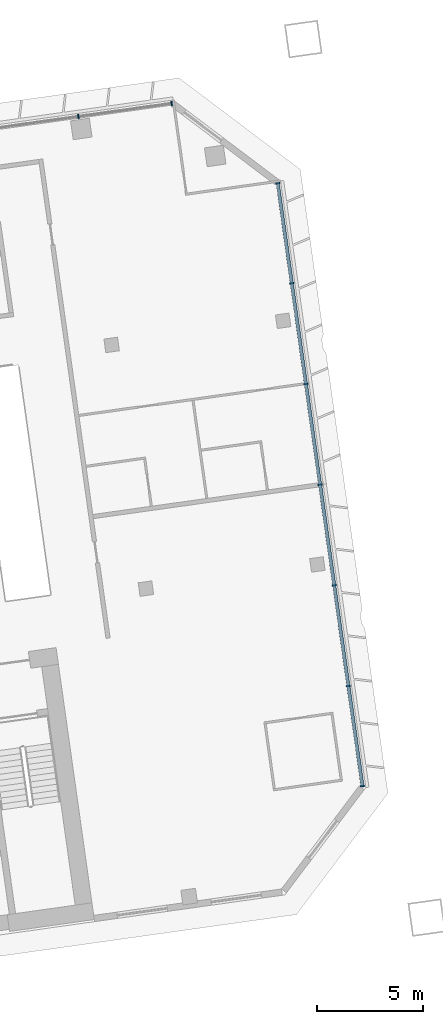
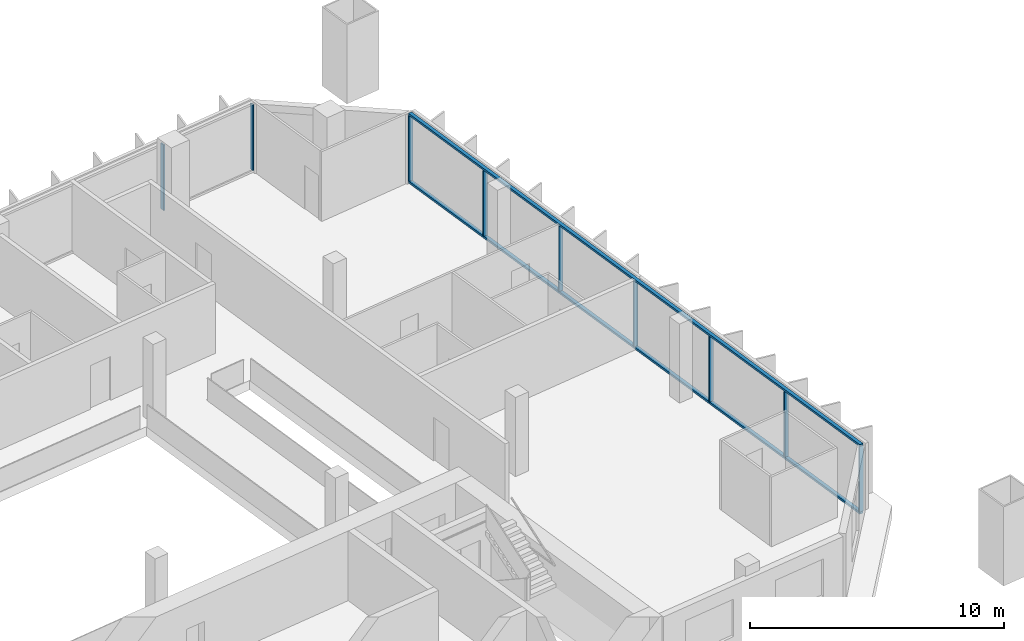
# One storey, part 11 of 24: 11 members, 2 elements without a shape of their own.
"""IFC4 building model written with IfcOpenShell, lengths in metres."""

from ifc_helpers import new_model, si_unit, direction, frame, origin, origin_2d, place, context, subcontext, project, spatial, rectangle, extrude, material, material_profile, profile_set, type_object, element, aggregate, save


model = new_model("IFC4")

# Units and contexts
model_context = context("Model", 3, precision=1e-05, world=origin(), true_north=direction((0.0, 1.0)))
body_context = subcontext(model_context, "Body", "Model", "MODEL_VIEW")
ifc_project = project(units=[si_unit("LENGTHUNIT", "METRE"), si_unit("AREAUNIT", "SQUARE_METRE"), si_unit("VOLUMEUNIT", "CUBIC_METRE"), si_unit("PLANEANGLEUNIT", "RADIAN"), si_unit("MASSUNIT", "GRAM", prefix="KILO")], contexts=[model_context])

# Site, building, storey
site_placement = place(None, origin())
site = spatial("IfcSite", under=ifc_project, at=site_placement, CompositionType="ELEMENT")
building_placement = place(site_placement, origin())
building = spatial("IfcBuilding", under=site, at=building_placement, Name="Mirante Cascada Hotel Towers", CompositionType="ELEMENT")
storey_placement = place(building_placement, frame((0.0, 0.0, 132.9)))
storey = spatial("IfcBuildingStorey", under=building, at=storey_placement, Name="L30", CompositionType="ELEMENT", Elevation=132.9)

# Curtain wall, members
ifc_material_1 = material(Name="Aluminium mullion and transom frame with clear laminated glass", Category="aluminium")
curtain_wall_type_1 = type_object("IfcCurtainWallType", Name="Ribbon curtain wall ECW1", PredefinedType="NOTDEFINED", material=ifc_material_1)
curtain_wall_1_placement = place(storey_placement, origin())
curtain_wall_1 = element("IfcCurtainWall", 1, at=curtain_wall_1_placement, inside=storey, type_object=curtain_wall_type_1, Name="Front ribbon wall T2 L30", PredefinedType="NOTDEFINED")
ifc_material_2 = material(Name="Anodised aluminium extrusion", Category="aluminium")
ifc_material_profile_1 = material_profile(ifc_material_2, rectangle(XDim=0.2, YDim=0.065, at=origin_2d()), Name="ECW1 MULLION 65x200")
ifc_profile_set_1 = profile_set([ifc_material_profile_1], Name="Anodised aluminium extrusion")
member_type_1 = type_object("IfcMemberType", Name="ECW1 mullion 65x200", PredefinedType="MULLION", material=ifc_profile_set_1)
member_1_placement = place(storey_placement, frame((94.126, 26.0476, 0.1), z_axis=(0.0, 0.0, 1.0), x_axis=(0.1391731, -0.9902681, 0.0)))
member_1 = element("IfcMember", 2, at=member_1_placement, type_object=member_type_1, Name="ECW1 mullion 1", PredefinedType="MULLION", context=body_context, shape_type="SweptSolid", body=[
    extrude(rectangle(XDim=0.2, YDim=0.065, at=origin_2d()), origin(), (0.0, 0.0, 1.0), 3.15),
])
member_2_placement = place(storey_placement, frame((89.7107, 25.427, 0.1), z_axis=(0.0, 0.0, 1.0), x_axis=(0.1391731, -0.9902681, 0.0)))
member_2 = element("IfcMember", 3, at=member_2_placement, type_object=member_type_1, Name="ECW1 mullion 2", PredefinedType="MULLION", context=body_context, shape_type="SweptSolid", body=[
    extrude(rectangle(XDim=0.2, YDim=0.065, at=origin_2d()), origin(), (0.0, 0.0, 1.0), 3.15),
])
aggregate(curtain_wall_1, [member_1, member_2])

ifc_material_3 = material(Name="Aluminium mullion and transom frame with clear laminated glass", Category="aluminium")
curtain_wall_type_2 = type_object("IfcCurtainWallType", Name="End ribbon curtain wall ECW2", PredefinedType="NOTDEFINED", material=ifc_material_3)
curtain_wall_2_placement = place(storey_placement, origin())
curtain_wall_2 = element("IfcCurtainWall", 4, at=curtain_wall_2_placement, inside=storey, type_object=curtain_wall_type_2, Name="Outer end wall T2 L30", PredefinedType="NOTDEFINED")
ifc_material_4 = material(Name="Anodised aluminium extrusion", Category="aluminium")
ifc_material_profile_2 = material_profile(ifc_material_4, rectangle(XDim=0.2, YDim=0.065, at=origin_2d()), Name="ECW2 MULLION 65x200")
ifc_profile_set_2 = profile_set([ifc_material_profile_2], Name="Anodised aluminium extrusion")
member_type_2 = type_object("IfcMemberType", Name="ECW2 mullion 65x200", PredefinedType="MULLION", material=ifc_profile_set_2)
member_3_placement = place(storey_placement, frame((103.1556, -6.2656, 0.1), z_axis=(0.0, 0.0, 1.0), x_axis=(-0.9902681, -0.1391731, 0.0)))
member_3 = element("IfcMember", 5, at=member_3_placement, type_object=member_type_2, Name="ECW2 mullion 1", PredefinedType="MULLION", context=body_context, shape_type="SweptSolid", body=[
    extrude(rectangle(XDim=0.2, YDim=0.065, at=origin_2d()), origin(), (0.0, 0.0, 1.0), 3.15),
])
member_4_placement = place(storey_placement, frame((102.4903, -1.532, 0.1), z_axis=(0.0, 0.0, 1.0), x_axis=(-0.9902681, -0.1391731, 0.0)))
member_4 = element("IfcMember", 6, at=member_4_placement, type_object=member_type_2, Name="ECW2 mullion 2", PredefinedType="MULLION", context=body_context, shape_type="SweptSolid", body=[
    extrude(rectangle(XDim=0.2, YDim=0.065, at=origin_2d()), origin(), (0.0, 0.0, 1.0), 3.15),
])
member_5_placement = place(storey_placement, frame((101.8205, 3.2338, 0.1), z_axis=(0.0, 0.0, 1.0), x_axis=(-0.9902681, -0.1391731, 0.0)))
member_5 = element("IfcMember", 7, at=member_5_placement, type_object=member_type_2, Name="ECW2 mullion 3", PredefinedType="MULLION", context=body_context, shape_type="SweptSolid", body=[
    extrude(rectangle(XDim=0.2, YDim=0.065, at=origin_2d()), origin(), (0.0, 0.0, 1.0), 3.15),
])
member_6_placement = place(storey_placement, frame((101.1508, 7.9996, 0.1), z_axis=(0.0, 0.0, 1.0), x_axis=(-0.9902681, -0.1391731, 0.0)))
member_6 = element("IfcMember", 8, at=member_6_placement, type_object=member_type_2, Name="ECW2 mullion 4", PredefinedType="MULLION", context=body_context, shape_type="SweptSolid", body=[
    extrude(rectangle(XDim=0.2, YDim=0.065, at=origin_2d()), origin(), (0.0, 0.0, 1.0), 3.15),
])
member_7_placement = place(storey_placement, frame((100.481, 12.7654, 0.1), z_axis=(0.0, 0.0, 1.0), x_axis=(-0.9902681, -0.1391731, 0.0)))
member_7 = element("IfcMember", 9, at=member_7_placement, type_object=member_type_2, Name="ECW2 mullion 5", PredefinedType="MULLION", context=body_context, shape_type="SweptSolid", body=[
    extrude(rectangle(XDim=0.2, YDim=0.065, at=origin_2d()), origin(), (0.0, 0.0, 1.0), 3.15),
])
member_8_placement = place(storey_placement, frame((99.8112, 17.5312, 0.1), z_axis=(0.0, 0.0, 1.0), x_axis=(-0.9902681, -0.1391731, 0.0)))
member_8 = element("IfcMember", 10, at=member_8_placement, type_object=member_type_2, Name="ECW2 mullion 6", PredefinedType="MULLION", context=body_context, shape_type="SweptSolid", body=[
    extrude(rectangle(XDim=0.2, YDim=0.065, at=origin_2d()), origin(), (0.0, 0.0, 1.0), 3.15),
])
member_9_placement = place(storey_placement, frame((99.1459, 22.2648, 0.1), z_axis=(0.0, 0.0, 1.0), x_axis=(-0.9902681, -0.1391731, 0.0)))
member_9 = element("IfcMember", 11, at=member_9_placement, type_object=member_type_2, Name="ECW2 mullion 7", PredefinedType="MULLION", context=body_context, shape_type="SweptSolid", body=[
    extrude(rectangle(XDim=0.2, YDim=0.065, at=origin_2d()), origin(), (0.0, 0.0, 1.0), 3.15),
])
ifc_material_5 = material(Name="Anodised aluminium extrusion", Category="aluminium")
ifc_material_profile_3 = material_profile(ifc_material_5, rectangle(XDim=0.16, YDim=0.1, at=origin_2d()), Name="ECW2 TRANSOM 100x160")
ifc_profile_set_3 = profile_set([ifc_material_profile_3], Name="Anodised aluminium extrusion")
member_type_3 = type_object("IfcMemberType", Name="ECW2 transom 100x160", PredefinedType="USERDEFINED", material=ifc_profile_set_3)
member_10_placement = place(storey_placement, frame((103.1601, -6.2978, 0.05), z_axis=(-0.1391723, 0.9902682, 0.0), x_axis=(-0.9902682, -0.1391723, 0.0)))
member_10 = element("IfcMember", 12, at=member_10_placement, type_object=member_type_3, Name="ECW2 sill transom", ObjectType="TRANSOM", PredefinedType="USERDEFINED", context=body_context, shape_type="SweptSolid", body=[
    extrude(rectangle(XDim=0.16, YDim=0.1, at=origin_2d()), origin(), (0.0, 0.0, 1.0), 28.8757),
])
member_11_placement = place(storey_placement, frame((103.1601, -6.2978, 3.3), z_axis=(-0.1391723, 0.9902682, 0.0), x_axis=(-0.9902682, -0.1391723, 0.0)))
member_11 = element("IfcMember", 13, at=member_11_placement, type_object=member_type_3, Name="ECW2 head transom", ObjectType="TRANSOM", PredefinedType="USERDEFINED", context=body_context, shape_type="SweptSolid", body=[
    extrude(rectangle(XDim=0.16, YDim=0.1, at=origin_2d()), origin(), (0.0, 0.0, 1.0), 28.8757),
])
aggregate(curtain_wall_2, [member_10, member_11, member_3, member_4, member_5, member_6, member_7, member_8, member_9])

save(model, "model.ifc")
